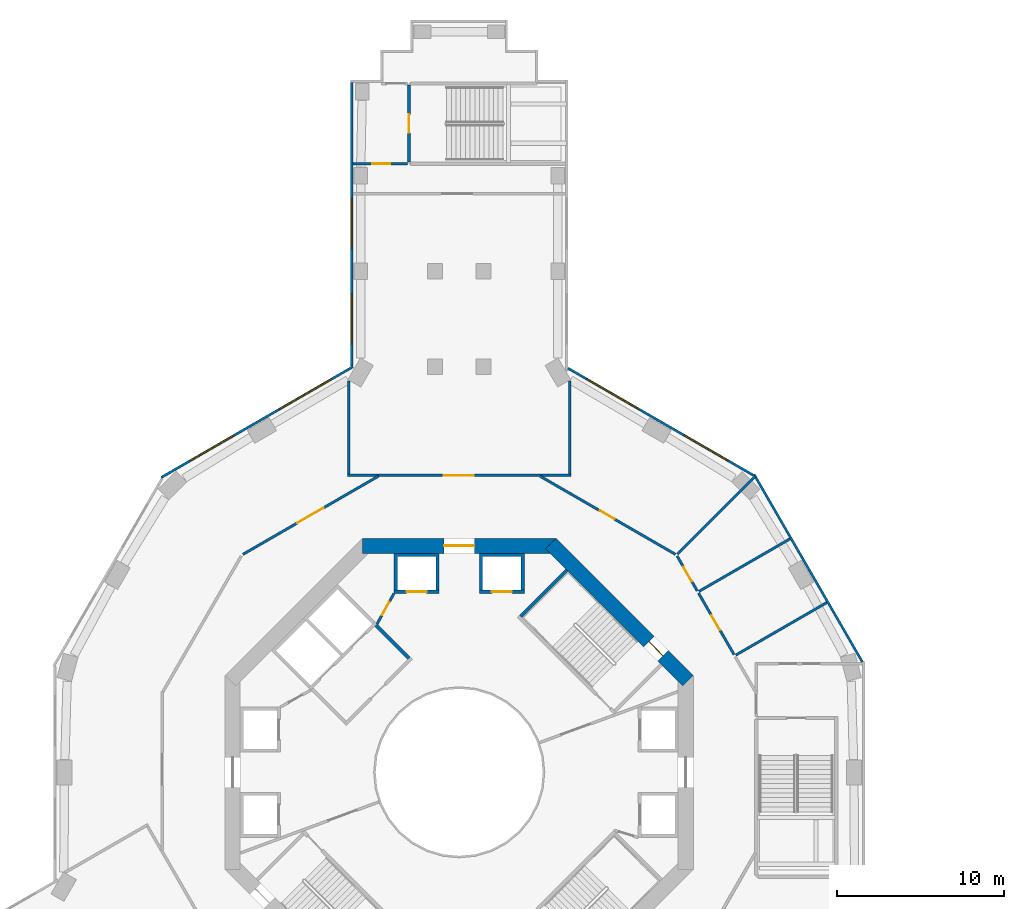
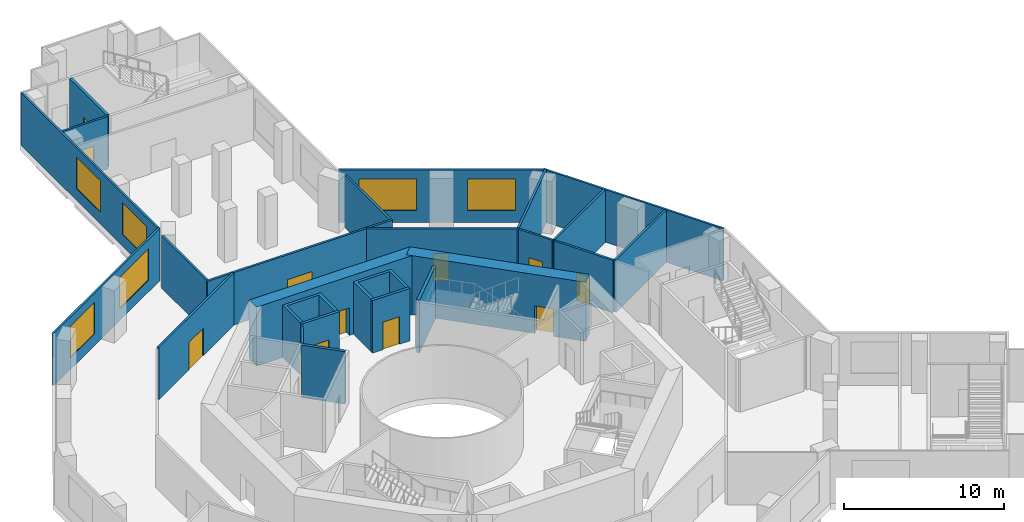
# One storey, part 6 of 20: 25 walls, 12 doors, 6 windows, 18 openings.
"""IFC4 building model written with IfcOpenShell, lengths in metres."""

from ifc_helpers import new_model, si_unit, direction, frame, frame_2d, origin, place, context, subcontext, project, spatial, polyline, rectangle, outline, extrude, material, layer, layer_set, type_object, element, fill, save


model = new_model("IFC4")

# Units and contexts
model_context = context("Model", 3, precision=1e-05, world=origin(), true_north=direction((0.0, 1.0)))
body_context = subcontext(model_context, "Body", "Model", "MODEL_VIEW")
ifc_project = project(units=[si_unit("LENGTHUNIT", "METRE"), si_unit("AREAUNIT", "SQUARE_METRE"), si_unit("VOLUMEUNIT", "CUBIC_METRE"), si_unit("PLANEANGLEUNIT", "RADIAN"), si_unit("MASSUNIT", "GRAM", prefix="KILO")], contexts=[model_context])

# Site, building, storey
site_placement = place(None, origin())
site = spatial("IfcSite", under=ifc_project, at=site_placement, CompositionType="ELEMENT")
building_placement = place(site_placement, origin())
building = spatial("IfcBuilding", under=site, at=building_placement, Name="Verdalira Terraces Hotel", CompositionType="ELEMENT")
storey_placement = place(building_placement, frame((0.0, 0.0, 23.5)))
storey = spatial("IfcBuildingStorey", under=building, at=storey_placement, Name="L04", CompositionType="ELEMENT", Elevation=23.5)

# Wall
ifc_material_1 = material(Name="Concrete C50", Category="concrete")
ifc_layer_1 = layer(ifc_material_1, 0.199951171875)
ifc_layer_set_1 = layer_set([ifc_layer_1], Name="Core RC wall 200 C50")
wall_type_1 = type_object("IfcWallType", Name="Core RC wall 200 C50", PredefinedType="SOLIDWALL", material=ifc_layer_set_1)
wall_1_placement = place(storey_placement, origin())
element("IfcWall", 1, at=wall_1_placement, inside=storey, type_object=wall_type_1, Name="L04 shaft wall N1", PredefinedType="SOLIDWALL", context=body_context, shape_type="SweptSolid", body=[
    extrude(outline(polyline([(3.899902, 13.100098), (3.899902, 10.899902), (3.699951, 10.899902), (3.699951, 12.899902), (1.399902, 12.899902), (1.399902, 10.899902), (1.199951, 10.899902), (1.199951, 13.100098), (3.899902, 13.100098)])), origin(), (0.0, 0.0, 1.0), 4.0),
])

# Wall, opening, door
wall_2_placement = place(storey_placement, frame((1.199951, 10.800049, 0.0), z_axis=(0.0, 0.0, 1.0), x_axis=(1.0, 0.0, 0.0)))
wall_2 = element("IfcWall", 2, at=wall_2_placement, inside=storey, type_object=wall_type_1, Name="L04 shaft front wall N1", PredefinedType="SOLIDWALL", context=body_context, shape_type="SweptSolid", body=[
    extrude(rectangle(XDim=2.699951, YDim=0.199951, at=frame_2d((1.350098, 0.0))), origin(), (0.0, 0.0, 1.0), 4.0),
])
opening_1_placement = place(wall_2_placement, frame((0.75, 0.0, 0.0)))
opening_1 = element("IfcOpeningElement", 3, at=opening_1_placement, cuts=wall_2, Name="Opening LD-L04-803", PredefinedType="OPENING", context=body_context, shape_type="SweptSolid", body=[
    extrude(rectangle(XDim=1.199951, YDim=2.100098, at=frame_2d((0.600098, 1.050049))), frame((0.0, 0.109863, 0.0), z_axis=(0.0, -1.0, 0.0), x_axis=(1.0, 0.0, 0.0)), (0.0, 0.0, 1.0), 0.219971),
])
ifc_material_2 = material(Name="Stainless steel", Category="steel")
door_type_1 = type_object("IfcDoorType", Name="Landing door 1200 x 2100", OperationType="NOTDEFINED", PredefinedType="DOOR", material=ifc_material_2)
door_1_placement = place(opening_1_placement, origin())
door_1 = element("IfcDoor", 4, at=door_1_placement, inside=storey, type_object=door_type_1, Name="Lift landing door LR3 L04", OperationType="DOUBLE_DOOR_SLIDING", OverallHeight=2.10009765625, OverallWidth=1.199951171875, PredefinedType="DOOR", context=body_context, shape_type="SweptSolid", body=[
    extrude(rectangle(XDim=1.199951, YDim=2.100098, at=frame_2d((0.600098, 1.050049))), frame((0.0, 0.024902, 0.0), z_axis=(0.0, -1.0, 0.0), x_axis=(1.0, 0.0, 0.0)), (0.0, 0.0, 1.0), 0.050049),
])
fill(opening_1, door_1)

# Wall
wall_3_placement = place(storey_placement, origin())
element("IfcWall", 5, at=wall_3_placement, inside=storey, type_object=wall_type_1, Name="L04 shaft wall N2", PredefinedType="SOLIDWALL", context=body_context, shape_type="SweptSolid", body=[
    extrude(outline(polyline([(-3.899902, 10.899902), (-3.899902, 13.100098), (-1.199951, 13.100098), (-1.199951, 10.899902), (-1.399902, 10.899902), (-1.399902, 12.899902), (-3.699951, 12.899902), (-3.699951, 10.899902), (-3.899902, 10.899902)])), origin(), (0.0, 0.0, 1.0), 4.0),
])

# Wall, opening, door
wall_4_placement = place(storey_placement, frame((-1.199951, 10.800049, 0.0), z_axis=(0.0, 0.0, 1.0), x_axis=(-1.0, 0.0, 0.0)))
wall_4 = element("IfcWall", 6, at=wall_4_placement, inside=storey, type_object=wall_type_1, Name="L04 shaft front wall N2", PredefinedType="SOLIDWALL", context=body_context, shape_type="SweptSolid", body=[
    extrude(rectangle(XDim=2.699951, YDim=0.199951, at=frame_2d((1.350098, 0.0))), origin(), (0.0, 0.0, 1.0), 4.0),
])
opening_2_placement = place(wall_4_placement, frame((0.75, 0.0, 0.0)))
opening_2 = element("IfcOpeningElement", 7, at=opening_2_placement, cuts=wall_4, Name="Opening LD-L04-804", PredefinedType="OPENING", context=body_context, shape_type="SweptSolid", body=[
    extrude(rectangle(XDim=1.199951, YDim=2.100098, at=frame_2d((0.600098, 1.050049))), frame((0.0, 0.109863, 0.0), z_axis=(0.0, -1.0, 0.0), x_axis=(1.0, 0.0, 0.0)), (0.0, 0.0, 1.0), 0.219971),
])
door_2_placement = place(opening_2_placement, origin())
door_2 = element("IfcDoor", 8, at=door_2_placement, inside=storey, type_object=door_type_1, Name="Lift landing door LR4 L04", OperationType="DOUBLE_DOOR_SLIDING", OverallHeight=2.10009765625, OverallWidth=1.199951171875, PredefinedType="DOOR", context=body_context, shape_type="SweptSolid", body=[
    extrude(rectangle(XDim=1.199951, YDim=2.100098, at=frame_2d((0.600098, 1.050049))), frame((0.0, 0.024902, 0.0), z_axis=(0.0, -1.0, 0.0), x_axis=(1.0, 0.0, 0.0)), (0.0, 0.0, 1.0), 0.050049),
])
fill(opening_2, door_2)

# Walls
wall_5_placement = place(storey_placement, frame((3.677002, 9.33374, 0.0), z_axis=(0.0, 0.0, 1.0), x_axis=(0.707106781, 0.707106781, 0.0)))
element("IfcWall", 9, at=wall_5_placement, inside=storey, type_object=wall_type_1, Name="L04 stair ST1 end wall 2", PredefinedType="SOLIDWALL", context=body_context, shape_type="SweptSolid", body=[
    extrude(rectangle(XDim=3.900146, YDim=0.199951, at=frame_2d((1.950195, 0.0))), origin(), (0.0, 0.0, 1.0), 4.0),
])
wall_6_placement = place(storey_placement, frame((-3.005127, 6.823486, 0.0), z_axis=(0.0, 0.0, 1.0), x_axis=(-0.707106781, 0.707106781, 0.0)))
element("IfcWall", 10, at=wall_6_placement, inside=storey, type_object=wall_type_1, Name="L04 fire lobby wall", PredefinedType="SOLIDWALL", context=body_context, shape_type="SweptSolid", body=[
    extrude(rectangle(XDim=2.800049, YDim=0.199951, at=frame_2d((1.399902, 0.0))), origin(), (0.0, 0.0, 1.0), 4.0),
])

# Wall, opening, door
ifc_material_3 = material(Name="Gypsum board partition")
ifc_layer_2 = layer(ifc_material_3, 0.14990234375)
ifc_layer_set_2 = layer_set([ifc_layer_2], Name="Core partition 150 mm")
wall_type_2 = type_object("IfcWallType", Name="Core partition 150 mm", PredefinedType="PARTITIONING", material=ifc_layer_set_2)
wall_7_placement = place(storey_placement, frame((-3.899902, 10.699951, 0.0), z_axis=(0.0, 0.0, 1.0), x_axis=(-0.485692555, -0.874129705, 0.0)))
wall_7 = element("IfcWall", 11, at=wall_7_placement, inside=storey, type_object=wall_type_2, Name="Room partition L04", PredefinedType="PARTITIONING", context=body_context, shape_type="SweptSolid", body=[
    extrude(rectangle(XDim=2.088623, YDim=0.149902, at=frame_2d((1.044434, 0.0))), origin(), (0.0, 0.0, 1.0), 4.0),
])
opening_3_placement = place(wall_7_placement, frame((0.594238, 0.0, 0.0)))
opening_3 = element("IfcOpeningElement", 12, at=opening_3_placement, cuts=wall_7, Name="Opening L04-820", PredefinedType="OPENING", context=body_context, shape_type="SweptSolid", body=[
    extrude(rectangle(XDim=0.899902, YDim=2.100098, at=frame_2d((0.449951, 1.050049))), frame((0.0, 0.084961, 0.0), z_axis=(0.0, -1.0, 0.0), x_axis=(1.0, 0.0, 0.0)), (0.0, 0.0, 1.0), 0.169922),
])
ifc_material_4 = material(Name="Steel fire door", Category="steel")
door_type_2 = type_object("IfcDoorType", Name="Core room door 900 x 2100", OperationType="NOTDEFINED", PredefinedType="DOOR", material=ifc_material_4)
door_3_placement = place(opening_3_placement, origin())
door_3 = element("IfcDoor", 13, at=door_3_placement, inside=storey, type_object=door_type_2, Name="Door L04 room2", OperationType="SINGLE_SWING_LEFT", OverallHeight=2.10009765625, OverallWidth=0.89990234375, PredefinedType="DOOR", context=body_context, shape_type="SweptSolid", body=[
    extrude(rectangle(XDim=0.899902, YDim=2.100098, at=frame_2d((0.449951, 1.050049))), frame((0.0, 0.024902, 0.0), z_axis=(0.0, -1.0, 0.0), x_axis=(1.0, 0.0, 0.0)), (0.0, 0.0, 1.0), 0.050049),
])
fill(opening_3, door_3)

ifc_material_5 = material(Name="Concrete C70", Category="concrete")
ifc_layer_3 = layer(ifc_material_5, 0.89990234375)
ifc_layer_set_3 = layer_set([ifc_layer_3], Name="Core wall 900 C70")
wall_type_3 = type_object("IfcWallType", Name="Core wall 900 C70", PredefinedType="SHEAR", material=ifc_layer_set_3)
wall_8_placement = place(storey_placement, frame((13.681885, 5.480713, 0.0), z_axis=(0.0, 0.0, 1.0), x_axis=(-0.707106781, 0.707106781, 0.0)))
wall_8 = element("IfcWall", 14, at=wall_8_placement, inside=storey, type_object=wall_type_3, Name="Core wall CW-L04-2", PredefinedType="SHEAR", context=body_context, shape_type="SweptSolid", body=[
    extrude(rectangle(XDim=11.598145, YDim=0.899902, at=frame_2d((5.799072, 0.0))), origin(), (0.0, 0.0, 1.0), 4.5),
])
opening_4_placement = place(wall_8_placement, frame((2.099121, 0.0, 0.0)))
opening_4 = element("IfcOpeningElement", 15, at=opening_4_placement, cuts=wall_8, Name="Opening L04-816", PredefinedType="OPENING", context=body_context, shape_type="SweptSolid", body=[
    extrude(rectangle(XDim=1.199951, YDim=2.100098, at=frame_2d((0.600098, 1.050049))), frame((0.0, 0.459961, 0.0), z_axis=(0.0, -1.0, 0.0), x_axis=(1.0, 0.0, 0.0)), (0.0, 0.0, 1.0), 0.919922),
])
ifc_material_6 = material(Name="Steel fire door", Category="steel")
door_type_3 = type_object("IfcDoorType", Name="Stair door 1200 x 2100", OperationType="NOTDEFINED", PredefinedType="DOOR", material=ifc_material_6)
door_4_placement = place(opening_4_placement, origin())
door_4 = element("IfcDoor", 16, at=door_4_placement, inside=storey, type_object=door_type_3, Name="Stair exit door ST1 L04", OperationType="SINGLE_SWING_LEFT", OverallHeight=2.10009765625, OverallWidth=1.199951171875, PredefinedType="DOOR", context=body_context, shape_type="SweptSolid", body=[
    extrude(rectangle(XDim=1.199951, YDim=2.100098, at=frame_2d((0.600098, 1.050049))), frame((0.0, 0.024902, 0.0), z_axis=(0.0, -1.0, 0.0), x_axis=(1.0, 0.0, 0.0)), (0.0, 0.0, 1.0), 0.050049),
])
fill(opening_4, door_4)

wall_9_placement = place(storey_placement, frame((5.799072, 13.550049, 0.0), z_axis=(0.0, 0.0, 1.0), x_axis=(-1.0, 0.0, 0.0)))
wall_9 = element("IfcWall", 17, at=wall_9_placement, inside=storey, type_object=wall_type_3, Name="Core wall CW-L04-3", PredefinedType="SHEAR", context=body_context, shape_type="SweptSolid", body=[
    extrude(rectangle(XDim=11.598145, YDim=0.899902, at=frame_2d((5.799072, 0.0))), origin(), (0.0, 0.0, 1.0), 4.5),
])
opening_5_placement = place(wall_9_placement, frame((4.898926, 0.0, 0.0)))
opening_5 = element("IfcOpeningElement", 18, at=opening_5_placement, cuts=wall_9, Name="Opening L04-813", PredefinedType="OPENING", context=body_context, shape_type="SweptSolid", body=[
    extrude(rectangle(XDim=1.800049, YDim=2.100098, at=frame_2d((0.899902, 1.050049))), frame((0.0, 0.459961, 0.0), z_axis=(0.0, -1.0, 0.0), x_axis=(1.0, 0.0, 0.0)), (0.0, 0.0, 1.0), 0.919922),
])
ifc_material_7 = material(Name="Steel fire door", Category="steel")
door_type_4 = type_object("IfcDoorType", Name="Core entry door pair 1800 x 2100", OperationType="NOTDEFINED", PredefinedType="DOOR", material=ifc_material_7)
door_5_placement = place(opening_5_placement, origin())
door_5 = element("IfcDoor", 19, at=door_5_placement, inside=storey, type_object=door_type_4, Name="Core entry door L04 2", OperationType="DOUBLE_DOOR_SINGLE_SWING", OverallHeight=2.10009765625, OverallWidth=1.800048828125, PredefinedType="DOOR", context=body_context, shape_type="SweptSolid", body=[
    extrude(rectangle(XDim=1.800049, YDim=2.100098, at=frame_2d((0.899902, 1.050049))), frame((0.0, 0.024902, 0.0), z_axis=(0.0, -1.0, 0.0), x_axis=(1.0, 0.0, 0.0)), (0.0, 0.0, 1.0), 0.050049),
])
fill(opening_5, door_5)

ifc_material_8 = material(Name="Gypsum board partition on steel stud", Category="steel")
ifc_layer_4 = layer(ifc_material_8, 0.14990234375)
ifc_layer_set_4 = layer_set([ifc_layer_4], Name="Fire-rated partition 150 mm")
wall_type_4 = type_object("IfcWallType", Name="Fire-rated partition 150 mm", PredefinedType="PARTITIONING", material=ifc_layer_set_4)
wall_10_placement = place(storey_placement, frame((-4.823242, 17.720703, 0.0), z_axis=(0.0, 0.0, 1.0), x_axis=(-0.866037142, -0.499979668, 0.0)))
wall_10 = element("IfcWall", 20, at=wall_10_placement, inside=storey, type_object=wall_type_4, Name="Partition", PredefinedType="PARTITIONING", context=body_context, shape_type="SweptSolid", body=[
    extrude(rectangle(XDim=9.366699, YDim=0.149902, at=frame_2d((4.68335, 0.0))), origin(), (0.0, 0.0, 1.0), 4.0),
])
opening_6_placement = place(wall_10_placement, frame((3.81665, 0.0, 0.0)))
opening_6 = element("IfcOpeningElement", 21, at=opening_6_placement, cuts=wall_10, Name="Opening L04-D07", PredefinedType="OPENING", context=body_context, shape_type="SweptSolid", body=[
    extrude(rectangle(XDim=1.800049, YDim=2.100098, at=frame_2d((0.899902, 1.050049))), frame((0.0, 0.084961, 0.0), z_axis=(0.0, -1.0, 0.0), x_axis=(1.0, 0.0, 0.0)), (0.0, 0.0, 1.0), 0.169922),
])
ifc_material_9 = material(Name="Steel fire door", Category="steel")
door_type_5 = type_object("IfcDoorType", Name="Fire door pair 1800 x 2100", OperationType="DOUBLE_DOOR_SINGLE_SWING", PredefinedType="DOOR", material=ifc_material_9)
door_6_placement = place(opening_6_placement, origin())
door_6 = element("IfcDoor", 22, at=door_6_placement, inside=storey, type_object=door_type_5, Name="Ring corridor door", OperationType="DOUBLE_DOOR_SINGLE_SWING", OverallHeight=2.10009765625, OverallWidth=1.800048828125, PredefinedType="DOOR", context=body_context, shape_type="SweptSolid", body=[
    extrude(rectangle(XDim=1.800049, YDim=2.100098, at=frame_2d((0.899902, 1.050049))), frame((0.0, 0.024902, 0.0), z_axis=(0.0, -1.0, 0.0), x_axis=(1.0, 0.0, 0.0)), (0.0, 0.0, 1.0), 0.050049),
])
fill(opening_6, door_6)

wall_11_placement = place(storey_placement, frame((6.675049, 17.758301, 0.0), z_axis=(0.0, 0.0, 1.0), x_axis=(-1.0, 0.0, 0.0)))
wall_11 = element("IfcWall", 23, at=wall_11_placement, inside=storey, type_object=wall_type_4, Name="Partition", PredefinedType="PARTITIONING", context=body_context, shape_type="SweptSolid", body=[
    extrude(rectangle(XDim=13.350098, YDim=0.149902, at=frame_2d((6.675049, 0.0))), origin(), (0.0, 0.0, 1.0), 4.0),
])
opening_7_placement = place(wall_11_placement, frame((5.800049, 0.0, 0.0)))
opening_7 = element("IfcOpeningElement", 24, at=opening_7_placement, cuts=wall_11, Name="Opening L04-D08", PredefinedType="OPENING", context=body_context, shape_type="SweptSolid", body=[
    extrude(rectangle(XDim=1.800049, YDim=2.100098, at=frame_2d((0.899902, 1.050049))), frame((0.0, 0.084961, 0.0), z_axis=(0.0, -1.0, 0.0), x_axis=(1.0, 0.0, 0.0)), (0.0, 0.0, 1.0), 0.169922),
])
door_7_placement = place(opening_7_placement, origin())
door_7 = element("IfcDoor", 25, at=door_7_placement, inside=storey, type_object=door_type_5, Name="Ring corridor door", OperationType="DOUBLE_DOOR_SINGLE_SWING", OverallHeight=2.10009765625, OverallWidth=1.800048828125, PredefinedType="DOOR", context=body_context, shape_type="SweptSolid", body=[
    extrude(rectangle(XDim=1.800049, YDim=2.100098, at=frame_2d((0.899902, 1.050049))), frame((0.0, 0.024902, 0.0), z_axis=(0.0, -1.0, 0.0), x_axis=(1.0, 0.0, 0.0)), (0.0, 0.0, 1.0), 0.050049),
])
fill(opening_7, door_7)

# Wall
wall_12_placement = place(storey_placement, frame((-6.600098, 23.415283, 0.0), z_axis=(0.0, 0.0, 1.0), x_axis=(0.0, -1.0, 0.0)))
element("IfcWall", 26, at=wall_12_placement, inside=storey, type_object=wall_type_4, Name="Partition", PredefinedType="PARTITIONING", context=body_context, shape_type="SweptSolid", body=[
    extrude(rectangle(XDim=5.582031, YDim=0.149902, at=frame_2d((2.791016, 0.0))), origin(), (0.0, 0.0, 1.0), 4.0),
])

# Wall, opening, door
wall_13_placement = place(storey_placement, frame((-3.099854, 36.399902, 0.0), z_axis=(0.0, 0.0, 1.0), x_axis=(-1.0, 0.0, 0.0)))
wall_13 = element("IfcWall", 27, at=wall_13_placement, inside=storey, type_object=wall_type_4, Name="Partition", PredefinedType="PARTITIONING", context=body_context, shape_type="SweptSolid", body=[
    extrude(rectangle(XDim=3.260254, YDim=0.149902, at=frame_2d((1.630127, 0.0))), origin(), (0.0, 0.0, 1.0), 4.0),
])
opening_8_placement = place(wall_13_placement, frame((1.010254, 0.0, 0.0)))
opening_8 = element("IfcOpeningElement", 28, at=opening_8_placement, cuts=wall_13, Name="Opening L04-D10", PredefinedType="OPENING", context=body_context, shape_type="SweptSolid", body=[
    extrude(rectangle(XDim=1.100098, YDim=2.100098, at=frame_2d((0.550049, 1.050049))), frame((0.0, 0.084961, 0.0), z_axis=(0.0, -1.0, 0.0), x_axis=(1.0, 0.0, 0.0)), (0.0, 0.0, 1.0), 0.169922),
])
ifc_material_10 = material(Name="Steel fire door", Category="steel")
door_type_6 = type_object("IfcDoorType", Name="Stair door 1100 x 2100", OperationType="SINGLE_SWING_LEFT", PredefinedType="DOOR", material=ifc_material_10)
door_8_placement = place(opening_8_placement, origin())
door_8 = element("IfcDoor", 29, at=door_8_placement, inside=storey, type_object=door_type_6, Name="Stair door Stair approach corridor", OperationType="SINGLE_SWING_RIGHT", OverallHeight=2.10009765625, OverallWidth=1.10009765625, PredefinedType="DOOR", context=body_context, shape_type="SweptSolid", body=[
    extrude(rectangle(XDim=1.100098, YDim=2.100098, at=frame_2d((0.550049, 1.050049))), frame((0.0, 0.024902, 0.0), z_axis=(0.0, -1.0, 0.0), x_axis=(1.0, 0.0, 0.0)), (0.0, 0.0, 1.0), 0.050049),
])
fill(opening_8, door_8)

wall_14_placement = place(storey_placement, frame((4.823242, 17.720703, 0.0), z_axis=(0.0, 0.0, 1.0), x_axis=(0.866037142, -0.499979668, 0.0)))
wall_14 = element("IfcWall", 30, at=wall_14_placement, inside=storey, type_object=wall_type_4, Name="Partition", PredefinedType="PARTITIONING", context=body_context, shape_type="SweptSolid", body=[
    extrude(rectangle(XDim=9.366699, YDim=0.149902, at=frame_2d((4.68335, 0.0))), origin(), (0.0, 0.0, 1.0), 4.0),
])
opening_9_placement = place(wall_14_placement, frame((4.149902, 0.0, 0.0)))
opening_9 = element("IfcOpeningElement", 31, at=opening_9_placement, cuts=wall_14, Name="Opening L04-D14", PredefinedType="OPENING", context=body_context, shape_type="SweptSolid", body=[
    extrude(rectangle(XDim=1.0, YDim=2.100098, at=frame_2d((0.5, 1.050049))), frame((0.0, 0.084961, 0.0), z_axis=(0.0, -1.0, 0.0), x_axis=(1.0, 0.0, 0.0)), (0.0, 0.0, 1.0), 0.169922),
])
ifc_material_11 = material(Name="Steel fire door", Category="steel")
door_type_7 = type_object("IfcDoorType", Name="Fire door 1000 x 2100", OperationType="SINGLE_SWING_LEFT", PredefinedType="DOOR", material=ifc_material_11)
door_9_placement = place(opening_9_placement, origin())
door_9 = element("IfcDoor", 32, at=door_9_placement, inside=storey, type_object=door_type_7, Name="Spa changing room door", OperationType="SINGLE_SWING_RIGHT", OverallHeight=2.10009765625, OverallWidth=1.0, PredefinedType="DOOR", context=body_context, shape_type="SweptSolid", body=[
    extrude(rectangle(XDim=1.0, YDim=2.100098, at=frame_2d((0.5, 1.050049))), frame((0.0, 0.024902, 0.0), z_axis=(0.0, -1.0, 0.0), x_axis=(1.0, 0.0, 0.0)), (0.0, 0.0, 1.0), 0.050049),
])
fill(opening_9, door_9)

# Wall
wall_15_placement = place(storey_placement, frame((6.600098, 17.833252, 0.0), z_axis=(0.0, 0.0, 1.0), x_axis=(0.0, 1.0, 0.0)))
element("IfcWall", 33, at=wall_15_placement, inside=storey, type_object=wall_type_4, Name="Partition", PredefinedType="PARTITIONING", context=body_context, shape_type="SweptSolid", body=[
    extrude(rectangle(XDim=5.582031, YDim=0.149902, at=frame_2d((2.791016, 0.0))), origin(), (0.0, 0.0, 1.0), 4.0),
])

# Wall, opening, door
wall_16_placement = place(storey_placement, frame((13.037598, 12.935059, 0.0), z_axis=(0.0, 0.0, 1.0), x_axis=(0.499933044, -0.866064057, 0.0)))
wall_16 = element("IfcWall", 34, at=wall_16_placement, inside=storey, type_object=wall_type_4, Name="Partition", PredefinedType="PARTITIONING", context=body_context, shape_type="SweptSolid", body=[
    extrude(rectangle(XDim=2.408447, YDim=0.149902, at=frame_2d((1.204102, 0.0))), origin(), (0.0, 0.0, 1.0), 4.0),
])
opening_10_placement = place(wall_16_placement, frame((0.75, 0.0, 0.0)))
opening_10 = element("IfcOpeningElement", 35, at=opening_10_placement, cuts=wall_16, Name="Opening L04-D16", PredefinedType="OPENING", context=body_context, shape_type="SweptSolid", body=[
    extrude(rectangle(XDim=1.0, YDim=2.100098, at=frame_2d((0.5, 1.050049))), frame((0.0, 0.084961, 0.0), z_axis=(0.0, -1.0, 0.0), x_axis=(1.0, 0.0, 0.0)), (0.0, 0.0, 1.0), 0.169922),
])
door_10_placement = place(opening_10_placement, origin())
door_10 = element("IfcDoor", 36, at=door_10_placement, inside=storey, type_object=door_type_7, Name="Accessible WC door", OperationType="SINGLE_SWING_RIGHT", OverallHeight=2.10009765625, OverallWidth=1.0, PredefinedType="DOOR", context=body_context, shape_type="SweptSolid", body=[
    extrude(rectangle(XDim=1.0, YDim=2.100098, at=frame_2d((0.5, 1.050049))), frame((0.0, 0.024902, 0.0), z_axis=(0.0, -1.0, 0.0), x_axis=(1.0, 0.0, 0.0)), (0.0, 0.0, 1.0), 0.050049),
])
fill(opening_10, door_10)

wall_17_placement = place(storey_placement, frame((14.31665, 10.719482, 0.0), z_axis=(0.0, 0.0, 1.0), x_axis=(0.500037366, -0.866003829, 0.0)))
wall_17 = element("IfcWall", 37, at=wall_17_placement, inside=storey, type_object=wall_type_4, Name="Partition", PredefinedType="PARTITIONING", context=body_context, shape_type="SweptSolid", body=[
    extrude(rectangle(XDim=4.250244, YDim=0.149902, at=frame_2d((2.125, 0.0))), origin(), (0.0, 0.0, 1.0), 4.0),
])
opening_11_placement = place(wall_17_placement, frame((1.550049, 0.0, 0.0)))
opening_11 = element("IfcOpeningElement", 38, at=opening_11_placement, cuts=wall_17, Name="Opening L04-D17", PredefinedType="OPENING", context=body_context, shape_type="SweptSolid", body=[
    extrude(rectangle(XDim=1.0, YDim=2.100098, at=frame_2d((0.5, 1.050049))), frame((0.0, 0.084961, 0.0), z_axis=(0.0, -1.0, 0.0), x_axis=(1.0, 0.0, 0.0)), (0.0, 0.0, 1.0), 0.169922),
])
door_11_placement = place(opening_11_placement, origin())
door_11 = element("IfcDoor", 39, at=door_11_placement, inside=storey, type_object=door_type_7, Name="Men's WC door", OperationType="SINGLE_SWING_LEFT", OverallHeight=2.10009765625, OverallWidth=1.0, PredefinedType="DOOR", context=body_context, shape_type="SweptSolid", body=[
    extrude(rectangle(XDim=1.0, YDim=2.100098, at=frame_2d((0.5, 1.050049))), frame((0.0, 0.024902, 0.0), z_axis=(0.0, -1.0, 0.0), x_axis=(1.0, 0.0, 0.0)), (0.0, 0.0, 1.0), 0.050049),
])
fill(opening_11, door_11)

# Walls
wall_18_placement = place(storey_placement, frame((17.699951, 17.699951, 0.0), z_axis=(0.0, 0.0, 1.0), x_axis=(-0.707106781, -0.707106781, 0.0)))
element("IfcWall", 40, at=wall_18_placement, inside=storey, type_object=wall_type_4, Name="Partition", PredefinedType="PARTITIONING", context=body_context, shape_type="SweptSolid", body=[
    extrude(rectangle(XDim=6.571777, YDim=0.149902, at=frame_2d((3.285889, 0.0))), origin(), (0.0, 0.0, 1.0), 4.0),
])
wall_19_placement = place(storey_placement, frame((19.787109, 13.964355, 0.0), z_axis=(0.0, 0.0, 1.0), x_axis=(-0.866042631, -0.49997016, 0.0)))
element("IfcWall", 41, at=wall_19_placement, inside=storey, type_object=wall_type_4, Name="Partition", PredefinedType="PARTITIONING", context=body_context, shape_type="SweptSolid", body=[
    extrude(rectangle(XDim=6.285156, YDim=0.149902, at=frame_2d((3.142578, 0.0))), origin(), (0.0, 0.0, 1.0), 4.0),
])
wall_20_placement = place(storey_placement, frame((21.987061, 10.153809, 0.0), z_axis=(0.0, 0.0, 1.0), x_axis=(-0.866032921, -0.49998698, 0.0)))
element("IfcWall", 42, at=wall_20_placement, inside=storey, type_object=wall_type_4, Name="Partition", PredefinedType="PARTITIONING", context=body_context, shape_type="SweptSolid", body=[
    extrude(rectangle(XDim=6.284912, YDim=0.149902, at=frame_2d((3.142578, 0.0))), origin(), (0.0, 0.0, 1.0), 4.0),
])

# Wall, opening, door
ifc_material_12 = material(Name="Concrete C50", Category="concrete")
ifc_layer_5 = layer(ifc_material_12, 0.199951171875)
ifc_layer_set_5 = layer_set([ifc_layer_5], Name="Stair enclosure wall 200 mm")
wall_type_5 = type_object("IfcWallType", Name="Stair enclosure wall 200 mm", PredefinedType="SOLIDWALL", material=ifc_layer_set_5)
wall_21_placement = place(storey_placement, frame((-3.0, 36.5, 0.0), z_axis=(0.0, 0.0, 1.0), x_axis=(0.0, 1.0, 0.0)))
wall_21 = element("IfcWall", 43, at=wall_21_placement, inside=storey, type_object=wall_type_5, Name="Stair enclosure wall", PredefinedType="SOLIDWALL", context=body_context, shape_type="SweptSolid", body=[
    extrude(rectangle(XDim=4.600098, YDim=0.199951, at=frame_2d((2.300049, 0.0))), origin(), (0.0, 0.0, 1.0), 4.0),
])
opening_12_placement = place(wall_21_placement, frame((1.75, 0.0, 0.0)))
opening_12 = element("IfcOpeningElement", 44, at=opening_12_placement, cuts=wall_21, Name="Opening L04-D13", PredefinedType="OPENING", context=body_context, shape_type="SweptSolid", body=[
    extrude(rectangle(XDim=1.100098, YDim=2.100098, at=frame_2d((0.550049, 1.050049))), frame((0.0, 0.109863, 0.0), z_axis=(0.0, -1.0, 0.0), x_axis=(1.0, 0.0, 0.0)), (0.0, 0.0, 1.0), 0.219971),
])
door_12_placement = place(opening_12_placement, origin())
door_12 = element("IfcDoor", 45, at=door_12_placement, inside=storey, type_object=door_type_6, Name="Stair door Stair lobby PS1", OperationType="SINGLE_SWING_LEFT", OverallHeight=2.10009765625, OverallWidth=1.10009765625, PredefinedType="DOOR", context=body_context, shape_type="SweptSolid", body=[
    extrude(rectangle(XDim=1.100098, YDim=2.100098, at=frame_2d((0.550049, 1.050049))), frame((0.0, 0.024902, 0.0), z_axis=(0.0, -1.0, 0.0), x_axis=(1.0, 0.0, 0.0)), (0.0, 0.0, 1.0), 0.050049),
])
fill(opening_12, door_12)

# Wall, openings, windows
ifc_material_13 = material(Name="Terracotta cladding on steel stud backup", Category="masonry")
ifc_layer_6 = layer(ifc_material_13, 0.139892578125)
ifc_layer_set_6 = layer_set([ifc_layer_6], Name="Terracotta clad wall 140 mm")
wall_type_6 = type_object("IfcWallType", Name="Terracotta clad wall 140 mm", PredefinedType="SOLIDWALL", material=ifc_layer_set_6)
wall_22_placement = place(storey_placement, frame((-6.429932, 41.26001, 0.0), z_axis=(0.0, 0.0, 1.0), x_axis=(0.0, -1.0, 0.0)))
wall_22 = element("IfcWall", 46, at=wall_22_placement, inside=storey, type_object=wall_type_6, Name="Podium facade wall", PredefinedType="SOLIDWALL", context=body_context, shape_type="SweptSolid", body=[
    extrude(rectangle(XDim=16.961426, YDim=0.139893, at=frame_2d((8.480713, 0.0))), origin(), (0.0, 0.0, 1.0), 4.0),
])
opening_13_placement = place(wall_22_placement, frame((6.930908, 0.0, 0.899902)))
opening_13 = element("IfcOpeningElement", 47, at=opening_13_placement, cuts=wall_22, Name="Opening WP", PredefinedType="OPENING", context=body_context, shape_type="SweptSolid", body=[
    extrude(rectangle(XDim=3.0, YDim=2.399902, at=frame_2d((1.5, 1.199951))), frame((0.0, 0.079834, 0.0), z_axis=(0.0, -1.0, 0.0), x_axis=(1.0, 0.0, 0.0)), (0.0, 0.0, 1.0), 0.159912),
])
opening_14_placement = place(wall_22_placement, frame((12.630615, 0.0, 0.899902)))
opening_14 = element("IfcOpeningElement", 48, at=opening_14_placement, cuts=wall_22, Name="Opening WP", PredefinedType="OPENING", context=body_context, shape_type="SweptSolid", body=[
    extrude(rectangle(XDim=3.0, YDim=2.399902, at=frame_2d((1.5, 1.199951))), frame((0.0, 0.079834, 0.0), z_axis=(0.0, -1.0, 0.0), x_axis=(1.0, 0.0, 0.0)), (0.0, 0.0, 1.0), 0.159912),
])
ifc_material_14 = material(Name="Clear double glazing in aluminium frame", Category="aluminium")
window_type_1 = type_object("IfcWindowType", Name="Podium window 3000 x 2400", PartitioningType="SINGLE_PANEL", PredefinedType="WINDOW", material=ifc_material_14)
window_1_placement = place(opening_13_placement, origin())
window_1 = element("IfcWindow", 49, at=window_1_placement, inside=storey, type_object=window_type_1, Name="Podium window", OverallHeight=2.39990234375, OverallWidth=3.0, PartitioningType="SINGLE_PANEL", PredefinedType="WINDOW", context=body_context, shape_type="SweptSolid", body=[
    extrude(rectangle(XDim=3.0, YDim=2.399902, at=frame_2d((1.5, 1.199951))), frame((0.0, 0.030029, 0.0), z_axis=(0.0, -1.0, 0.0), x_axis=(1.0, 0.0, 0.0)), (0.0, 0.0, 1.0), 0.060059),
])
fill(opening_13, window_1)
window_2_placement = place(opening_14_placement, origin())
window_2 = element("IfcWindow", 50, at=window_2_placement, inside=storey, type_object=window_type_1, Name="Podium window", OverallHeight=2.39990234375, OverallWidth=3.0, PartitioningType="SINGLE_PANEL", PredefinedType="WINDOW", context=body_context, shape_type="SweptSolid", body=[
    extrude(rectangle(XDim=3.0, YDim=2.399902, at=frame_2d((1.5, 1.199951))), frame((0.0, 0.030029, 0.0), z_axis=(0.0, -1.0, 0.0), x_axis=(1.0, 0.0, 0.0)), (0.0, 0.0, 1.0), 0.060059),
])
fill(opening_14, window_2)

wall_23_placement = place(storey_placement, frame((-6.360107, 24.258301, 0.0), z_axis=(0.0, 0.0, 1.0), x_axis=(-0.866029009, -0.499993756, 0.0)))
wall_23 = element("IfcWall", 51, at=wall_23_placement, inside=storey, type_object=wall_type_6, Name="Podium facade wall", PredefinedType="SOLIDWALL", context=body_context, shape_type="SweptSolid", body=[
    extrude(rectangle(XDim=13.242432, YDim=0.139893, at=frame_2d((6.621094, 0.0))), origin(), (0.0, 0.0, 1.0), 4.0),
])
opening_15_placement = place(wall_23_placement, frame((1.460205, 0.0, 0.899902)))
opening_15 = element("IfcOpeningElement", 52, at=opening_15_placement, cuts=wall_23, Name="Opening WP", PredefinedType="OPENING", context=body_context, shape_type="SweptSolid", body=[
    extrude(rectangle(XDim=3.600098, YDim=2.399902, at=frame_2d((1.800049, 1.199951))), frame((0.0, 0.079834, 0.0), z_axis=(0.0, -1.0, 0.0), x_axis=(1.0, 0.0, 0.0)), (0.0, 0.0, 1.0), 0.159912),
])
opening_16_placement = place(wall_23_placement, frame((8.2146, 0.0, 0.899902)))
opening_16 = element("IfcOpeningElement", 53, at=opening_16_placement, cuts=wall_23, Name="Opening WP", PredefinedType="OPENING", context=body_context, shape_type="SweptSolid", body=[
    extrude(rectangle(XDim=3.0, YDim=2.399902, at=frame_2d((1.5, 1.199951))), frame((0.0, 0.079834, 0.0), z_axis=(0.0, -1.0, 0.0), x_axis=(1.0, 0.0, 0.0)), (0.0, 0.0, 1.0), 0.159912),
])
window_3_placement = place(opening_16_placement, origin())
window_3 = element("IfcWindow", 54, at=window_3_placement, inside=storey, type_object=window_type_1, Name="Podium window", OverallHeight=2.39990234375, OverallWidth=3.0, PartitioningType="SINGLE_PANEL", PredefinedType="WINDOW", context=body_context, shape_type="SweptSolid", body=[
    extrude(rectangle(XDim=3.0, YDim=2.399902, at=frame_2d((1.5, 1.199951))), frame((0.0, 0.030029, 0.0), z_axis=(0.0, -1.0, 0.0), x_axis=(1.0, 0.0, 0.0)), (0.0, 0.0, 1.0), 0.060059),
])
fill(opening_16, window_3)
ifc_material_15 = material(Name="Clear double glazing in aluminium frame", Category="aluminium")
window_type_2 = type_object("IfcWindowType", Name="Podium window 3600 x 2400", PartitioningType="SINGLE_PANEL", PredefinedType="WINDOW", material=ifc_material_15)
window_4_placement = place(opening_15_placement, origin())
window_4 = element("IfcWindow", 55, at=window_4_placement, inside=storey, type_object=window_type_2, Name="Podium window", OverallHeight=2.39990234375, OverallWidth=3.60009765625, PartitioningType="SINGLE_PANEL", PredefinedType="WINDOW", context=body_context, shape_type="SweptSolid", body=[
    extrude(rectangle(XDim=3.600098, YDim=2.399902, at=frame_2d((1.800049, 1.199951))), frame((0.0, 0.030029, 0.0), z_axis=(0.0, -1.0, 0.0), x_axis=(1.0, 0.0, 0.0)), (0.0, 0.0, 1.0), 0.060059),
])
fill(opening_15, window_4)

# Wall
wall_24_placement = place(storey_placement, frame((24.118408, 6.602539, 0.0), z_axis=(0.0, 0.0, 1.0), x_axis=(-0.499997984, 0.866026568, 0.0)))
element("IfcWall", 56, at=wall_24_placement, inside=storey, type_object=wall_type_6, Name="Podium facade wall", PredefinedType="SOLIDWALL", context=body_context, shape_type="SweptSolid", body=[
    extrude(rectangle(XDim=12.962402, YDim=0.139893, at=frame_2d((6.481201, 0.0))), origin(), (0.0, 0.0, 1.0), 4.0),
])

# Wall, openings, windows
wall_25_placement = place(storey_placement, frame((17.585693, 17.7771, 0.0), z_axis=(0.0, 0.0, 1.0), x_axis=(-0.866023287, 0.500003667, 0.0)))
wall_25 = element("IfcWall", 57, at=wall_25_placement, inside=storey, type_object=wall_type_6, Name="Podium facade wall", PredefinedType="SOLIDWALL", context=body_context, shape_type="SweptSolid", body=[
    extrude(rectangle(XDim=12.800781, YDim=0.139893, at=frame_2d((6.400391, 0.0))), origin(), (0.0, 0.0, 1.0), 4.0),
])
opening_17_placement = place(wall_25_placement, frame((1.747803, 0.0, 0.899902)))
opening_17 = element("IfcOpeningElement", 58, at=opening_17_placement, cuts=wall_25, Name="Opening WP", PredefinedType="OPENING", context=body_context, shape_type="SweptSolid", body=[
    extrude(rectangle(XDim=3.0, YDim=2.399902, at=frame_2d((1.5, 1.199951))), frame((0.0, 0.079834, 0.0), z_axis=(0.0, -1.0, 0.0), x_axis=(1.0, 0.0, 0.0)), (0.0, 0.0, 1.0), 0.159912),
])
opening_18_placement = place(wall_25_placement, frame((7.9021, 0.0, 0.899902)))
opening_18 = element("IfcOpeningElement", 59, at=opening_18_placement, cuts=wall_25, Name="Opening WP", PredefinedType="OPENING", context=body_context, shape_type="SweptSolid", body=[
    extrude(rectangle(XDim=3.600098, YDim=2.399902, at=frame_2d((1.800049, 1.199951))), frame((0.0, 0.079834, 0.0), z_axis=(0.0, -1.0, 0.0), x_axis=(1.0, 0.0, 0.0)), (0.0, 0.0, 1.0), 0.159912),
])
window_5_placement = place(opening_17_placement, origin())
window_5 = element("IfcWindow", 60, at=window_5_placement, inside=storey, type_object=window_type_1, Name="Podium window", OverallHeight=2.39990234375, OverallWidth=3.0, PartitioningType="SINGLE_PANEL", PredefinedType="WINDOW", context=body_context, shape_type="SweptSolid", body=[
    extrude(rectangle(XDim=3.0, YDim=2.399902, at=frame_2d((1.5, 1.199951))), frame((0.0, 0.030029, 0.0), z_axis=(0.0, -1.0, 0.0), x_axis=(1.0, 0.0, 0.0)), (0.0, 0.0, 1.0), 0.060059),
])
fill(opening_17, window_5)
window_6_placement = place(opening_18_placement, origin())
window_6 = element("IfcWindow", 61, at=window_6_placement, inside=storey, type_object=window_type_2, Name="Podium window", OverallHeight=2.39990234375, OverallWidth=3.60009765625, PartitioningType="SINGLE_PANEL", PredefinedType="WINDOW", context=body_context, shape_type="SweptSolid", body=[
    extrude(rectangle(XDim=3.600098, YDim=2.399902, at=frame_2d((1.800049, 1.199951))), frame((0.0, 0.030029, 0.0), z_axis=(0.0, -1.0, 0.0), x_axis=(1.0, 0.0, 0.0)), (0.0, 0.0, 1.0), 0.060059),
])
fill(opening_18, window_6)

save(model, "model.ifc")
